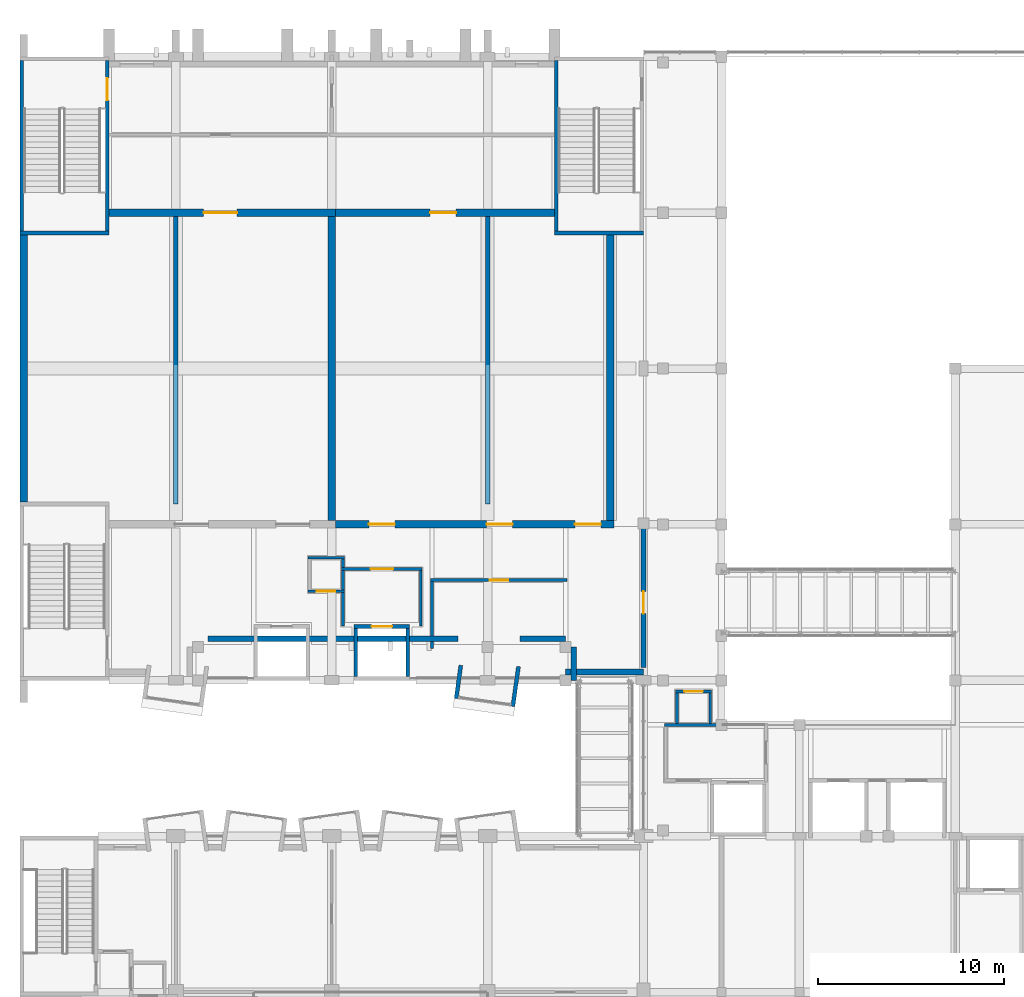
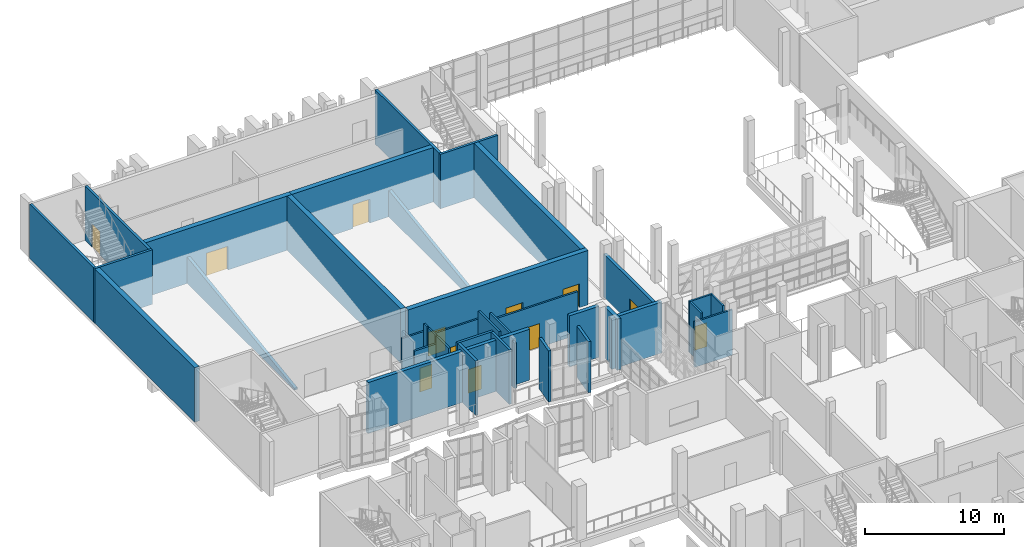
# One storey, part 45 of 86: 37 walls, 12 doors, 12 openings.
"""IFC4 building model written with IfcOpenShell, lengths in metres."""

from ifc_helpers import new_model, si_unit, direction, frame, frame_2d, origin, place, context, subcontext, project, spatial, polyline, rectangle, outline, extrude, material, layer, layer_set, type_object, element, fill, save


model = new_model("IFC4")

# Units and contexts
model_context = context("Model", 3, precision=1e-05, world=origin(), true_north=direction((0.0, 1.0)))
body_context = subcontext(model_context, "Body", "Model", "MODEL_VIEW")
ifc_project = project(units=[si_unit("LENGTHUNIT", "METRE"), si_unit("AREAUNIT", "SQUARE_METRE"), si_unit("VOLUMEUNIT", "CUBIC_METRE"), si_unit("PLANEANGLEUNIT", "RADIAN"), si_unit("MASSUNIT", "GRAM", prefix="KILO")], contexts=[model_context])

# Site, building, storey
site_placement = place(None, origin())
site = spatial("IfcSite", under=ifc_project, at=site_placement, CompositionType="ELEMENT")
building_placement = place(site_placement, origin())
building = spatial("IfcBuilding", under=site, at=building_placement, Name="Kiln Court Media Centre", CompositionType="ELEMENT")
storey_placement = place(building_placement, frame((0.0, 0.0, 10.199951171875)))
storey = spatial("IfcBuildingStorey", under=building, at=storey_placement, Name="L02", CompositionType="ELEMENT", Elevation=10.199951171875)

# Wall, opening, door
ifc_material_1 = material(Name="Concrete block masonry M10", Category="masonry")
ifc_layer_1 = layer(ifc_material_1, 0.25)
ifc_layer_set_1 = layer_set([ifc_layer_1], Name="Block fire wall 250 EI 240")
wall_type_1 = type_object("IfcWallType", Name="Block fire wall 250 EI 240", PredefinedType="SOLIDWALL", material=ifc_layer_set_1)
wall_1_placement = place(storey_placement, frame((33.60009765625, 34.300048828125, 0.0), z_axis=(0.0, 0.0, 1.0), x_axis=(0.0, 1.0, 0.0)))
wall_1 = element("IfcWall", 1, at=wall_1_placement, inside=storey, type_object=wall_type_1, Name="L02 block fire wall", PredefinedType="SOLIDWALL", context=body_context, shape_type="SweptSolid", body=[
    extrude(rectangle(XDim=7.824951171875, YDim=0.25, at=frame_2d((3.91259765625, 0.0))), origin(), (0.0, 0.0, 1.0), 3.800048828125),
])
opening_1_placement = place(wall_1_placement, frame((2.89990234375, 0.0, 0.0)))
opening_1 = element("IfcOpeningElement", 2, at=opening_1_placement, cuts=wall_1, Name="Opening D2022", PredefinedType="OPENING", context=body_context, shape_type="SweptSolid", body=[
    extrude(rectangle(XDim=1.199951171875, YDim=2.10009765625, at=frame_2d((0.60009765625, 1.050048828125))), frame((0.0, 0.135009765625, 0.0), z_axis=(0.0, -1.0, 0.0), x_axis=(1.0, 0.0, 0.0)), (0.0, 0.0, 1.0), 0.27001953125),
])
ifc_material_2 = material(Name="Steel S275", Category="steel")
door_type_1 = type_object("IfcDoorType", Name="Steel fire-wall door 1200 x 2100 FD180", OperationType="SINGLE_SWING_LEFT", PredefinedType="DOOR", material=ifc_material_2)
door_1_placement = place(opening_1_placement, origin())
door_1 = element("IfcDoor", 3, at=door_1_placement, inside=storey, type_object=door_type_1, Name="West Gallery / Foyer Link", OperationType="SINGLE_SWING_LEFT", OverallHeight=2.10009765625, OverallWidth=1.199951171875, PredefinedType="DOOR", context=body_context, shape_type="SweptSolid", body=[
    extrude(rectangle(XDim=1.199951171875, YDim=2.10009765625, at=frame_2d((0.60009765625, 1.050048828125))), frame((0.0, 0.02490234375, 0.0), z_axis=(0.0, -1.0, 0.0), x_axis=(1.0, 0.0, 0.0)), (0.0, 0.0, 1.0), 0.050048828125),
])
fill(opening_1, door_1)

# Wall
ifc_material_3 = material(Name="Concrete block masonry M7.5", Category="masonry")
ifc_layer_2 = layer(ifc_material_3, 0.14990234375)
ifc_layer_set_2 = layer_set([ifc_layer_2], Name="Block lobby wall 150 EI 120")
wall_type_2 = type_object("IfcWallType", Name="Block lobby wall 150 EI 120", PredefinedType="SOLIDWALL", material=ifc_layer_set_2)
wall_2_placement = place(storey_placement, frame((34.72509765625, 31.199951171875, 0.0), z_axis=(0.0, 0.0, 1.0), x_axis=(1.0, 0.0, 0.0)))
element("IfcWall", 4, at=wall_2_placement, inside=storey, type_object=wall_type_2, Name="L02 block lobby wall", PredefinedType="SOLIDWALL", context=body_context, shape_type="SweptSolid", body=[
    extrude(rectangle(XDim=3.14990234375, YDim=0.14990234375, at=frame_2d((1.574951171875, 0.0))), origin(), (0.0, 0.0, 1.0), 4.0),
])

# Wall, opening, door
wall_3_placement = place(storey_placement, frame((17.324951171875, 39.60009765625, 0.0), z_axis=(0.0, 0.0, 1.0), x_axis=(1.0, 0.0, 0.0)))
wall_3 = element("IfcWall", 5, at=wall_3_placement, inside=storey, type_object=wall_type_2, Name="L02 block lobby wall", PredefinedType="SOLIDWALL", context=body_context, shape_type="SweptSolid", body=[
    extrude(rectangle(XDim=4.35009765625, YDim=0.14990234375, at=frame_2d((2.175048828125, 0.0))), origin(), (0.0, 0.0, 1.0), 3.800048828125),
])
opening_2_placement = place(wall_3_placement, frame((1.574951171875, 0.0, 0.0)))
opening_2 = element("IfcOpeningElement", 6, at=opening_2_placement, cuts=wall_3, Name="Opening D2058", PredefinedType="OPENING", context=body_context, shape_type="SweptSolid", body=[
    extrude(rectangle(XDim=1.199951171875, YDim=2.10009765625, at=frame_2d((0.60009765625, 1.050048828125))), frame((0.0, 0.0849609375, 0.0), z_axis=(0.0, -1.0, 0.0), x_axis=(1.0, 0.0, 0.0)), (0.0, 0.0, 1.0), 0.169921875),
])
ifc_material_4 = material(Name="Steel S275", Category="steel")
door_type_2 = type_object("IfcDoorType", Name="Steel lobby door 1200 x 2100 FD120", OperationType="SINGLE_SWING_LEFT", PredefinedType="DOOR", material=ifc_material_4)
door_2_placement = place(opening_2_placement, origin())
door_2 = element("IfcDoor", 7, at=door_2_placement, inside=storey, type_object=door_type_2, Name="Cinema Lobby / Fire-fighting Lift Lobby", OperationType="SINGLE_SWING_RIGHT", OverallHeight=2.10009765625, OverallWidth=1.199951171875, PredefinedType="DOOR", context=body_context, shape_type="SweptSolid", body=[
    extrude(rectangle(XDim=1.199951171875, YDim=2.10009765625, at=frame_2d((0.60009765625, 1.050048828125))), frame((0.0, 0.02490234375, 0.0), z_axis=(0.0, -1.0, 0.0), x_axis=(1.0, 0.0, 0.0)), (0.0, 0.0, 1.0), 0.050048828125),
])
fill(opening_2, door_2)

# Walls
wall_4_placement = place(storey_placement, frame((17.39990234375, 36.52490234375, 0.0), z_axis=(0.0, 0.0, 1.0), x_axis=(0.0, 1.0, 0.0)))
element("IfcWall", 8, at=wall_4_placement, inside=storey, type_object=wall_type_2, Name="L02 block lobby wall", PredefinedType="SOLIDWALL", context=body_context, shape_type="SweptSolid", body=[
    extrude(rectangle(XDim=1.800048828125, YDim=0.14990234375, at=frame_2d((0.89990234375, 0.0))), origin(), (0.0, 0.0, 1.0), 4.5),
])
wall_5_placement = place(storey_placement, frame((17.39990234375, 38.47509765625, 0.0), z_axis=(0.0, 0.0, 1.0), x_axis=(0.0, 1.0, 0.0)))
element("IfcWall", 9, at=wall_5_placement, inside=storey, type_object=wall_type_2, Name="L02 block lobby wall", PredefinedType="SOLIDWALL", context=body_context, shape_type="SweptSolid", body=[
    extrude(rectangle(XDim=1.0498046875, YDim=0.14990234375, at=frame_2d((0.52490234375, 0.0))), origin(), (0.0, 0.0, 1.0), 4.5),
])
wall_6_placement = place(storey_placement, frame((21.60009765625, 36.52490234375, 0.0), z_axis=(0.0, 0.0, 1.0), x_axis=(0.0, 1.0, 0.0)))
element("IfcWall", 10, at=wall_6_placement, inside=storey, type_object=wall_type_2, Name="L02 block lobby wall", PredefinedType="SOLIDWALL", context=body_context, shape_type="SweptSolid", body=[
    extrude(rectangle(XDim=3.0, YDim=0.14990234375, at=frame_2d((1.5, 0.0))), origin(), (0.0, 0.0, 1.0), 4.5),
])
ifc_material_5 = material(Name="Brick masonry facing leaf with RC backing", Category="masonry")
ifc_layer_3 = layer(ifc_material_5, 0.215087890625)
ifc_layer_set_3 = layer_set([ifc_layer_3], Name="Brick masonry bay cheek wall 215")
wall_type_3 = type_object("IfcWallType", Name="Brick masonry bay cheek wall 215", PredefinedType="SOLIDWALL", material=ifc_layer_set_3)
wall_7_placement = place(storey_placement, frame((23.756103515625, 34.40869140625, 0.0), z_axis=(0.0, 0.0, 1.0), x_axis=(-0.13918000587, -0.990267098295, 0.0)))
element("IfcWall", 11, at=wall_7_placement, inside=storey, type_object=wall_type_3, Name="BAY V4-S-L02-14 cheek L", PredefinedType="SOLIDWALL", context=body_context, shape_type="SweptSolid", body=[
    extrude(rectangle(XDim=1.7998046875, YDim=0.215087890625, at=frame_2d((0.89990234375, 0.0))), origin(), (0.0, 0.0, 1.0), 4.5),
])
wall_8_placement = place(storey_placement, frame((26.8623046875, 34.344970703125, 0.0), z_axis=(0.0, 0.0, 1.0), x_axis=(-0.139120311566, -0.990275486372, 0.0)))
element("IfcWall", 12, at=wall_8_placement, inside=storey, type_object=wall_type_3, Name="BAY V4-S-L02-14 cheek R", PredefinedType="SOLIDWALL", context=body_context, shape_type="SweptSolid", body=[
    extrude(rectangle(XDim=2.1689453125, YDim=0.215087890625, at=frame_2d((1.08447265625, 0.0))), origin(), (0.0, 0.0, 1.0), 4.5),
])

# Wall, opening, door
ifc_material_6 = material(Name="Concrete C40/50", Category="concrete")
ifc_layer_4 = layer(ifc_material_6, 0.39990234375)
ifc_layer_set_4 = layer_set([ifc_layer_4], Name="Concrete C40/50 auditorium wall 400")
wall_type_4 = type_object("IfcWallType", Name="Concrete C40/50 auditorium wall 400", PredefinedType="SHEAR", material=ifc_layer_set_4)
wall_9_placement = place(storey_placement, frame((4.800048828125, 58.800048828125, 0.0), z_axis=(0.0, 0.0, 1.0), x_axis=(1.0, 0.0, 0.0)))
wall_9 = element("IfcWall", 13, at=wall_9_placement, inside=storey, type_object=wall_type_4, Name="L02-W-1119", PredefinedType="SHEAR", context=body_context, shape_type="SweptSolid", body=[
    extrude(rectangle(XDim=12.199951171875, YDim=0.39990234375, at=frame_2d((6.10009765625, 0.0))), origin(), (0.0, 0.0, 1.0), 4.800048828125),
])
opening_3_placement = place(wall_9_placement, frame((5.10009765625, 0.0, 0.0)))
opening_3 = element("IfcOpeningElement", 14, at=opening_3_placement, cuts=wall_9, Name="Opening D2078", PredefinedType="OPENING", context=body_context, shape_type="SweptSolid", body=[
    extrude(rectangle(XDim=1.800048828125, YDim=2.10009765625, at=frame_2d((0.89990234375, 1.050048828125))), frame((0.0, 0.2099609375, 0.0), z_axis=(0.0, -1.0, 0.0), x_axis=(1.0, 0.0, 0.0)), (0.0, 0.0, 1.0), 0.419921875),
])
ifc_material_7 = material(Name="Steel S275", Category="steel")
door_type_3 = type_object("IfcDoorType", Name="Acoustic cinema double door 1800 x 2100 FD180", OperationType="DOUBLE_DOOR_SINGLE_SWING", PredefinedType="DOOR", material=ifc_material_7)
door_3_placement = place(opening_3_placement, origin())
door_3 = element("IfcDoor", 15, at=door_3_placement, inside=storey, type_object=door_type_3, Name="Cinema Screen 5 / Rear Exit Lobby", OperationType="DOUBLE_DOOR_SINGLE_SWING", OverallHeight=2.10009765625, OverallWidth=1.800048828125, PredefinedType="DOOR", context=body_context, shape_type="SweptSolid", body=[
    extrude(rectangle(XDim=1.800048828125, YDim=2.10009765625, at=frame_2d((0.89990234375, 1.050048828125))), frame((0.0, 0.02490234375, 0.0), z_axis=(0.0, -1.0, 0.0), x_axis=(1.0, 0.0, 0.0)), (0.0, 0.0, 1.0), 0.050048828125),
])
fill(opening_3, door_3)

# Walls
wall_10_placement = place(storey_placement, frame((0.200439453125, 43.199951171875, 0.0), z_axis=(0.0, 0.0, 1.0), x_axis=(0.0, 1.0, 0.0)))
element("IfcWall", 16, at=wall_10_placement, inside=storey, type_object=wall_type_4, Name="L02-W-1120", PredefinedType="SHEAR", context=body_context, shape_type="SweptSolid", body=[
    extrude(rectangle(XDim=14.400146484375, YDim=0.39990234375, at=frame_2d((7.2001953125, 0.0))), origin(), (0.0, 0.0, 1.0), 4.800048828125),
])
wall_11_placement = place(storey_placement, frame((16.800048828125, 58.60009765625, 0.0), z_axis=(0.0, 0.0, 1.0), x_axis=(0.0, -1.0, 0.0)))
element("IfcWall", 17, at=wall_11_placement, inside=storey, type_object=wall_type_4, Name="L02-W-1121", PredefinedType="SHEAR", context=body_context, shape_type="SweptSolid", body=[
    extrude(rectangle(XDim=16.400146484375, YDim=0.39990234375, at=frame_2d((8.2001953125, 0.0))), origin(), (0.0, 0.0, 1.0), 4.800048828125),
])

# Wall, openings, doors
wall_12_placement = place(storey_placement, frame((32.0, 42.0, 0.0), z_axis=(0.0, 0.0, 1.0), x_axis=(-1.0, 0.0, 0.0)))
wall_12 = element("IfcWall", 18, at=wall_12_placement, inside=storey, type_object=wall_type_4, Name="L02-W-1122", PredefinedType="SHEAR", context=body_context, shape_type="SweptSolid", body=[
    extrude(rectangle(XDim=15.0, YDim=0.39990234375, at=frame_2d((7.5, 0.0))), origin(), (0.0, 0.0, 1.0), 4.800048828125),
])
opening_4_placement = place(wall_12_placement, frame((0.699951171875, 0.0, 0.0)))
opening_4 = element("IfcOpeningElement", 19, at=opening_4_placement, cuts=wall_12, Name="Opening D2057", PredefinedType="OPENING", context=body_context, shape_type="SweptSolid", body=[
    extrude(rectangle(XDim=1.39990234375, YDim=2.10009765625, at=frame_2d((0.699951171875, 1.050048828125))), frame((0.0, 0.2099609375, 0.0), z_axis=(0.0, -1.0, 0.0), x_axis=(1.0, 0.0, 0.0)), (0.0, 0.0, 1.0), 0.419921875),
])
opening_5_placement = place(wall_12_placement, frame((11.800048828125, 0.0, 0.0)))
opening_5 = element("IfcOpeningElement", 20, at=opening_5_placement, cuts=wall_12, Name="Opening D2079", PredefinedType="OPENING", context=body_context, shape_type="SweptSolid", body=[
    extrude(rectangle(XDim=1.39990234375, YDim=2.10009765625, at=frame_2d((0.699951171875, 1.050048828125))), frame((0.0, 0.2099609375, 0.0), z_axis=(0.0, -1.0, 0.0), x_axis=(1.0, 0.0, 0.0)), (0.0, 0.0, 1.0), 0.419921875),
])
opening_6_placement = place(wall_12_placement, frame((5.449951171875, 0.0, 0.0)))
opening_6 = element("IfcOpeningElement", 21, at=opening_6_placement, cuts=wall_12, Name="Opening D2080", PredefinedType="OPENING", context=body_context, shape_type="SweptSolid", body=[
    extrude(rectangle(XDim=1.39990234375, YDim=2.10009765625, at=frame_2d((0.699951171875, 1.050048828125))), frame((0.0, 0.2099609375, 0.0), z_axis=(0.0, -1.0, 0.0), x_axis=(1.0, 0.0, 0.0)), (0.0, 0.0, 1.0), 0.419921875),
])
ifc_material_8 = material(Name="Steel S275", Category="steel")
door_type_4 = type_object("IfcDoorType", Name="Acoustic cinema door 1400 x 2100 FD180", OperationType="DOUBLE_DOOR_SINGLE_SWING", PredefinedType="DOOR", material=ifc_material_8)
door_4_placement = place(opening_4_placement, origin())
door_4 = element("IfcDoor", 22, at=door_4_placement, inside=storey, type_object=door_type_4, Name="Foyer Link / Cinema Screen 6", OperationType="DOUBLE_DOOR_SINGLE_SWING", OverallHeight=2.10009765625, OverallWidth=1.39990234375, PredefinedType="DOOR", context=body_context, shape_type="SweptSolid", body=[
    extrude(rectangle(XDim=1.39990234375, YDim=2.10009765625, at=frame_2d((0.699951171875, 1.050048828125))), frame((0.0, 0.02490234375, 0.0), z_axis=(0.0, -1.0, 0.0), x_axis=(1.0, 0.0, 0.0)), (0.0, 0.0, 1.0), 0.050048828125),
])
fill(opening_4, door_4)
door_5_placement = place(opening_5_placement, origin())
door_5 = element("IfcDoor", 23, at=door_5_placement, inside=storey, type_object=door_type_4, Name="Cinema Lobby / Cinema Screen 6", OperationType="DOUBLE_DOOR_SINGLE_SWING", OverallHeight=2.10009765625, OverallWidth=1.39990234375, PredefinedType="DOOR", context=body_context, shape_type="SweptSolid", body=[
    extrude(rectangle(XDim=1.39990234375, YDim=2.10009765625, at=frame_2d((0.699951171875, 1.050048828125))), frame((0.0, 0.02490234375, 0.0), z_axis=(0.0, -1.0, 0.0), x_axis=(1.0, 0.0, 0.0)), (0.0, 0.0, 1.0), 0.050048828125),
])
fill(opening_5, door_5)
door_6_placement = place(opening_6_placement, origin())
door_6 = element("IfcDoor", 24, at=door_6_placement, inside=storey, type_object=door_type_4, Name="Cinema Lobby / Cinema Screen 6", OperationType="DOUBLE_DOOR_SINGLE_SWING", OverallHeight=2.10009765625, OverallWidth=1.39990234375, PredefinedType="DOOR", context=body_context, shape_type="SweptSolid", body=[
    extrude(rectangle(XDim=1.39990234375, YDim=2.10009765625, at=frame_2d((0.699951171875, 1.050048828125))), frame((0.0, 0.02490234375, 0.0), z_axis=(0.0, -1.0, 0.0), x_axis=(1.0, 0.0, 0.0)), (0.0, 0.0, 1.0), 0.050048828125),
])
fill(opening_6, door_6)

# Wall, opening, door
wall_13_placement = place(storey_placement, frame((17.0, 58.800048828125, 0.0), z_axis=(0.0, 0.0, 1.0), x_axis=(1.0, 0.0, 0.0)))
wall_13 = element("IfcWall", 25, at=wall_13_placement, inside=storey, type_object=wall_type_4, Name="L02-W-1123", PredefinedType="SHEAR", context=body_context, shape_type="SweptSolid", body=[
    extrude(rectangle(XDim=11.800048828125, YDim=0.39990234375, at=frame_2d((5.89990234375, 0.0))), origin(), (0.0, 0.0, 1.0), 4.800048828125),
])
opening_7_placement = place(wall_13_placement, frame((5.10009765625, 0.0, 0.0)))
opening_7 = element("IfcOpeningElement", 26, at=opening_7_placement, cuts=wall_13, Name="Opening D2081", PredefinedType="OPENING", context=body_context, shape_type="SweptSolid", body=[
    extrude(rectangle(XDim=1.39990234375, YDim=2.10009765625, at=frame_2d((0.699951171875, 1.050048828125))), frame((0.0, 0.2099609375, 0.0), z_axis=(0.0, -1.0, 0.0), x_axis=(1.0, 0.0, 0.0)), (0.0, 0.0, 1.0), 0.419921875),
])
door_7_placement = place(opening_7_placement, origin())
door_7 = element("IfcDoor", 27, at=door_7_placement, inside=storey, type_object=door_type_4, Name="Cinema Screen 6 / Rear Exit Lobby", OperationType="DOUBLE_DOOR_SINGLE_SWING", OverallHeight=2.10009765625, OverallWidth=1.39990234375, PredefinedType="DOOR", context=body_context, shape_type="SweptSolid", body=[
    extrude(rectangle(XDim=1.39990234375, YDim=2.10009765625, at=frame_2d((0.699951171875, 1.050048828125))), frame((0.0, 0.02490234375, 0.0), z_axis=(0.0, -1.0, 0.0), x_axis=(1.0, 0.0, 0.0)), (0.0, 0.0, 1.0), 0.050048828125),
])
fill(opening_7, door_7)

# Walls
wall_14_placement = place(storey_placement, frame((31.800048828125, 57.60009765625, 0.0), z_axis=(0.0, 0.0, 1.0), x_axis=(0.0, -1.0, 0.0)))
element("IfcWall", 28, at=wall_14_placement, inside=storey, type_object=wall_type_4, Name="L02-W-1124", PredefinedType="SHEAR", context=body_context, shape_type="SweptSolid", body=[
    extrude(rectangle(XDim=15.400146484375, YDim=0.39990234375, at=frame_2d((7.7001953125, 0.0))), origin(), (0.0, 0.0, 1.0), 4.800048828125),
])
ifc_material_9 = material(Name="Concrete C40/50", Category="concrete")
ifc_layer_5 = layer(ifc_material_9, 0.300048828125)
ifc_layer_set_5 = layer_set([ifc_layer_5], Name="Concrete C40/50 board-marked facade wall 300")
wall_type_5 = type_object("IfcWallType", Name="Concrete C40/50 board-marked facade wall 300", PredefinedType="SOLIDWALL", material=ifc_layer_set_5)
wall_15_placement = place(storey_placement, frame((23.611083984375, 35.85009765625, 0.0), z_axis=(0.0, 0.0, 1.0), x_axis=(-1.0, 0.0, 0.0)))
element("IfcWall", 29, at=wall_15_placement, inside=storey, type_object=wall_type_5, Name="V4 S facade wall 4006", PredefinedType="SOLIDWALL", context=body_context, shape_type="SweptSolid", body=[
    extrude(rectangle(XDim=13.467529296875, YDim=0.300048828125, at=frame_2d((6.73388671875, 0.0))), origin(), (0.0, 0.0, 1.0), 4.5),
])
wall_16_placement = place(storey_placement, frame((29.39990234375, 35.85009765625, 0.0), z_axis=(0.0, 0.0, 1.0), x_axis=(-1.0, 0.0, 0.0)))
element("IfcWall", 30, at=wall_16_placement, inside=storey, type_object=wall_type_5, Name="V4 S facade wall 4007", PredefinedType="SOLIDWALL", context=body_context, shape_type="SweptSolid", body=[
    extrude(rectangle(XDim=2.456298828125, YDim=0.300048828125, at=frame_2d((1.22802734375, 0.0))), origin(), (0.0, 0.0, 1.0), 4.5),
])
wall_17_placement = place(storey_placement, frame((29.85009765625, 33.60009765625, 0.0), z_axis=(0.0, 0.0, 1.0), x_axis=(0.0, 1.0, 0.0)))
element("IfcWall", 31, at=wall_17_placement, inside=storey, type_object=wall_type_5, Name="V4 W facade wall 4008", PredefinedType="SOLIDWALL", context=body_context, shape_type="SweptSolid", body=[
    extrude(rectangle(XDim=1.7998046875, YDim=0.300048828125, at=frame_2d((0.89990234375, 0.0))), origin(), (0.0, 0.0, 1.0), 4.5),
])
wall_18_placement = place(storey_placement, frame((33.60009765625, 34.050048828125, 0.0), z_axis=(0.0, 0.0, 1.0), x_axis=(-1.0, 0.0, 0.0)))
element("IfcWall", 32, at=wall_18_placement, inside=storey, type_object=wall_type_5, Name="V4 S facade wall 4009", PredefinedType="SOLIDWALL", context=body_context, shape_type="SweptSolid", body=[
    extrude(rectangle(XDim=4.2001953125, YDim=0.300048828125, at=frame_2d((2.10009765625, 0.0))), origin(), (0.0, 0.0, 1.0), 4.5),
])
ifc_material_10 = material(Name="Concrete C40/50", Category="concrete")
ifc_layer_6 = layer(ifc_material_10, 0.25)
ifc_layer_set_6 = layer_set([ifc_layer_6], Name="Concrete C40/50 raker wall 250")
wall_type_6 = type_object("IfcWallType", Name="Concrete C40/50 raker wall 250", PredefinedType="SOLIDWALL", material=ifc_layer_set_6)
for number, where, z_axis, x_axis, name in (
    (33, (8.39990234375, 43.10009765625, 0.0), (0.0, 0.0, 1.0), (0.0, 1.0, 0.0), "L02-W-1142"),
    (34, (25.199951171875, 43.10009765625, 0.0), (0.0, 0.0, 1.0), (0.0, 1.0, 0.0), "L02-W-1143"),
):
    element("IfcWall", number, at=place(storey_placement, frame(where, z_axis=z_axis, x_axis=x_axis)), inside=storey, type_object=wall_type_6, Name=name, PredefinedType="SOLIDWALL", context=body_context, shape_type="SweptSolid", body=[
        extrude(outline(polyline([(0.0, 0.0), (15.5, 0.0), (15.5, 2.323974609375), (0.0, 0.154052734375), (0.0, 0.0)])), frame((0.0, 0.125, 0.0), z_axis=(0.0, -1.0, 0.0), x_axis=(1.0, 0.0, 0.0)), (0.0, 0.0, 1.0), 0.25),
    ])
ifc_material_11 = material(Name="Concrete C40/50", Category="concrete")
ifc_layer_7 = layer(ifc_material_11, 0.199951171875)
ifc_layer_set_7 = layer_set([ifc_layer_7], Name="Concrete C40/50 shear wall 200")
wall_type_7 = type_object("IfcWallType", Name="Concrete C40/50 shear wall 200", PredefinedType="SHEAR", material=ifc_layer_set_7)
wall_19_placement = place(storey_placement, frame((4.800048828125, 57.699951171875, 0.0), z_axis=(0.0, 0.0, 1.0), x_axis=(-1.0, 0.0, 0.0)))
element("IfcWall", 35, at=wall_19_placement, inside=storey, type_object=wall_type_7, Name="L02-W-1024", PredefinedType="SHEAR", context=body_context, shape_type="SweptSolid", body=[
    extrude(rectangle(XDim=4.799560546875, YDim=0.199951171875, at=frame_2d((2.39990234375, 0.0))), origin(), (0.0, 0.0, 1.0), 4.800048828125),
])
wall_20_placement = place(storey_placement, frame((0.100341796875, 57.800048828125, 0.0), z_axis=(0.0, 0.0, 1.0), x_axis=(0.0, 1.0, 0.0)))
element("IfcWall", 36, at=wall_20_placement, inside=storey, type_object=wall_type_7, Name="L02-W-1026", PredefinedType="SHEAR", context=body_context, shape_type="SweptSolid", body=[
    extrude(rectangle(XDim=9.199951171875, YDim=0.199951171875, at=frame_2d((4.60009765625, 0.0))), origin(), (0.0, 0.0, 1.0), 4.800048828125),
])

# Wall, opening, door
wall_21_placement = place(storey_placement, frame((4.699951171875, 67.0, 0.0), z_axis=(0.0, 0.0, 1.0), x_axis=(0.0, -1.0, 0.0)))
wall_21 = element("IfcWall", 37, at=wall_21_placement, inside=storey, type_object=wall_type_7, Name="L02-W-1027", PredefinedType="SHEAR", context=body_context, shape_type="SweptSolid", body=[
    extrude(rectangle(XDim=9.199951171875, YDim=0.199951171875, at=frame_2d((4.60009765625, 0.0))), origin(), (0.0, 0.0, 1.0), 4.800048828125),
])
opening_8_placement = place(wall_21_placement, frame((0.949951171875, 0.0, 0.0)))
opening_8 = element("IfcOpeningElement", 38, at=opening_8_placement, cuts=wall_21, Name="Opening D2009", PredefinedType="OPENING", context=body_context, shape_type="SweptSolid", body=[
    extrude(rectangle(XDim=1.199951171875, YDim=2.10009765625, at=frame_2d((0.60009765625, 1.050048828125))), frame((0.0, 0.10986328125, 0.0), z_axis=(0.0, -1.0, 0.0), x_axis=(1.0, 0.0, 0.0)), (0.0, 0.0, 1.0), 0.219970703125),
])
ifc_material_12 = material(Name="Steel S275", Category="steel")
door_type_5 = type_object("IfcDoorType", Name="Steel stair door 1200 x 2100 FD180", OperationType="SINGLE_SWING_LEFT", PredefinedType="DOOR", material=ifc_material_12)
door_8_placement = place(opening_8_placement, origin())
door_8 = element("IfcDoor", 39, at=door_8_placement, inside=storey, type_object=door_type_5, Name="Stair 7 / Cinema Staff Room", OperationType="SINGLE_SWING_RIGHT", OverallHeight=2.10009765625, OverallWidth=1.199951171875, PredefinedType="DOOR", context=body_context, shape_type="SweptSolid", body=[
    extrude(rectangle(XDim=1.199951171875, YDim=2.10009765625, at=frame_2d((0.60009765625, 1.050048828125))), frame((0.0, 0.02490234375, 0.0), z_axis=(0.0, -1.0, 0.0), x_axis=(1.0, 0.0, 0.0)), (0.0, 0.0, 1.0), 0.050048828125),
])
fill(opening_8, door_8)

# Walls
wall_22_placement = place(storey_placement, frame((33.60009765625, 57.699951171875, 0.0), z_axis=(0.0, 0.0, 1.0), x_axis=(-1.0, 0.0, 0.0)))
element("IfcWall", 40, at=wall_22_placement, inside=storey, type_object=wall_type_7, Name="L02-W-1028", PredefinedType="SHEAR", context=body_context, shape_type="SweptSolid", body=[
    extrude(rectangle(XDim=4.800048828125, YDim=0.199951171875, at=frame_2d((2.39990234375, 0.0))), origin(), (0.0, 0.0, 1.0), 4.800048828125),
])
wall_23_placement = place(storey_placement, frame((28.89990234375, 57.800048828125, 0.0), z_axis=(0.0, 0.0, 1.0), x_axis=(0.0, 1.0, 0.0)))
element("IfcWall", 41, at=wall_23_placement, inside=storey, type_object=wall_type_7, Name="L02-W-1030", PredefinedType="SHEAR", context=body_context, shape_type="SweptSolid", body=[
    extrude(rectangle(XDim=9.199951171875, YDim=0.199951171875, at=frame_2d((4.60009765625, 0.0))), origin(), (0.0, 0.0, 1.0), 4.800048828125),
])

# Wall, opening, door
wall_24_placement = place(storey_placement, frame((18.0, 36.5, 0.0), z_axis=(0.0, 0.0, 1.0), x_axis=(1.0, 0.0, 0.0)))
wall_24 = element("IfcWall", 42, at=wall_24_placement, inside=storey, type_object=wall_type_7, Name="L02-W-1087", PredefinedType="SHEAR", context=body_context, shape_type="SweptSolid", body=[
    extrude(rectangle(XDim=3.0, YDim=0.199951171875, at=frame_2d((1.5, 0.0))), origin(), (0.0, 0.0, 1.0), 4.800048828125),
])
opening_9_placement = place(wall_24_placement, frame((0.949951171875, 0.0, 0.0)))
opening_9 = element("IfcOpeningElement", 43, at=opening_9_placement, cuts=wall_24, Name="Opening LD206", PredefinedType="OPENING", context=body_context, shape_type="SweptSolid", body=[
    extrude(rectangle(XDim=1.10009765625, YDim=2.10009765625, at=frame_2d((0.550048828125, 1.050048828125))), frame((0.0, 0.10986328125, 0.0), z_axis=(0.0, -1.0, 0.0), x_axis=(1.0, 0.0, 0.0)), (0.0, 0.0, 1.0), 0.219970703125),
])
ifc_material_13 = material(Name="Stainless steel", Category="steel")
door_type_6 = type_object("IfcDoorType", Name="Firefighting lift landing door 1100 x 2100 FD120", OperationType="SLIDING_TO_LEFT", PredefinedType="DOOR", material=ifc_material_13)
door_9_placement = place(opening_9_placement, origin())
door_9 = element("IfcDoor", 44, at=door_9_placement, inside=storey, type_object=door_type_6, Name="LF-06 landing door L02", OperationType="SLIDING_TO_LEFT", OverallHeight=2.10009765625, OverallWidth=1.10009765625, PredefinedType="DOOR", context=body_context, shape_type="SweptSolid", body=[
    extrude(rectangle(XDim=1.10009765625, YDim=2.10009765625, at=frame_2d((0.550048828125, 1.050048828125))), frame((0.0, 0.02490234375, 0.0), z_axis=(0.0, -1.0, 0.0), x_axis=(1.0, 0.0, 0.0)), (0.0, 0.0, 1.0), 0.050048828125),
])
fill(opening_9, door_9)

# Walls
for number, where, z_axis, x_axis, name in (
    (45, (18.10009765625, 33.800048828125, 0.0), (0.0, 0.0, 1.0), (0.0, 1.0, 0.0), "L02-W-1088"),
    (46, (20.89990234375, 36.39990234375, 0.0), (0.0, 0.0, 1.0), (0.0, -1.0, 0.0), "L02-W-1089"),
):
    element("IfcWall", number, at=place(storey_placement, frame(where, z_axis=z_axis, x_axis=x_axis)), inside=storey, type_object=wall_type_7, Name=name, PredefinedType="SHEAR", context=body_context, shape_type="SweptSolid", body=[
        extrude(rectangle(XDim=2.599853515625, YDim=0.199951171875, at=frame_2d((1.2998046875, 0.0))), origin(), (0.0, 0.0, 1.0), 4.800048828125),
    ])

# Wall, opening, door
ifc_material_14 = material(Name="Gypsum plasterboard", Category="gypsum")
ifc_layer_8 = layer(ifc_material_14, 0.14990234375)
ifc_layer_set_8 = layer_set([ifc_layer_8], Name="Gypsum corridor partition 150 EI 60")
wall_type_8 = type_object("IfcWallType", Name="Gypsum corridor partition 150 EI 60", PredefinedType="PARTITIONING", material=ifc_layer_set_8)
wall_25_placement = place(storey_placement, frame((35.324951171875, 33.0, 0.0), z_axis=(0.0, 0.0, 1.0), x_axis=(1.0, 0.0, 0.0)))
wall_25 = element("IfcWall", 47, at=wall_25_placement, inside=storey, type_object=wall_type_8, Name="L02 gypsum corridor partition", PredefinedType="PARTITIONING", context=body_context, shape_type="SweptSolid", body=[
    extrude(rectangle(XDim=1.949951171875, YDim=0.14990234375, at=frame_2d((0.97509765625, 0.0))), origin(), (0.0, 0.0, 1.0), 4.5),
])
opening_10_placement = place(wall_25_placement, frame((0.47509765625, 0.0, 0.0)))
opening_10 = element("IfcOpeningElement", 48, at=opening_10_placement, cuts=wall_25, Name="Opening D2021", PredefinedType="OPENING", context=body_context, shape_type="SweptSolid", body=[
    extrude(rectangle(XDim=1.0, YDim=2.10009765625, at=frame_2d((0.5, 1.050048828125))), frame((0.0, 0.0849609375, 0.0), z_axis=(0.0, -1.0, 0.0), x_axis=(1.0, 0.0, 0.0)), (0.0, 0.0, 1.0), 0.169921875),
])
ifc_material_15 = material(Name="Steel S275", Category="steel")
door_type_7 = type_object("IfcDoorType", Name="Steel corridor door 1000 x 2100 FD30S", OperationType="SINGLE_SWING_LEFT", PredefinedType="DOOR", material=ifc_material_15)
door_10_placement = place(opening_10_placement, origin())
door_10 = element("IfcDoor", 49, at=door_10_placement, inside=storey, type_object=door_type_7, Name="West Gallery / Wheelchair Refuge", OperationType="SINGLE_SWING_LEFT", OverallHeight=2.10009765625, OverallWidth=1.0, PredefinedType="DOOR", context=body_context, shape_type="SweptSolid", body=[
    extrude(rectangle(XDim=1.0, YDim=2.10009765625, at=frame_2d((0.5, 1.050048828125))), frame((0.0, 0.02490234375, 0.0), z_axis=(0.0, -1.0, 0.0), x_axis=(1.0, 0.0, 0.0)), (0.0, 0.0, 1.0), 0.050048828125),
])
fill(opening_10, door_10)

wall_26_placement = place(storey_placement, frame((15.52490234375, 38.39990234375, 0.0), z_axis=(0.0, 0.0, 1.0), x_axis=(1.0, 0.0, 0.0)))
wall_26 = element("IfcWall", 50, at=wall_26_placement, inside=storey, type_object=wall_type_8, Name="L02 gypsum corridor partition", PredefinedType="PARTITIONING", context=body_context, shape_type="SweptSolid", body=[
    extrude(rectangle(XDim=1.9501953125, YDim=0.14990234375, at=frame_2d((0.97509765625, 0.0))), origin(), (0.0, 0.0, 1.0), 3.800048828125),
])
opening_11_placement = place(wall_26_placement, frame((0.47509765625, 0.0, 0.0)))
opening_11 = element("IfcOpeningElement", 51, at=opening_11_placement, cuts=wall_26, Name="Opening D2059", PredefinedType="OPENING", context=body_context, shape_type="SweptSolid", body=[
    extrude(rectangle(XDim=1.0, YDim=2.10009765625, at=frame_2d((0.5, 1.050048828125))), frame((0.0, 0.0849609375, 0.0), z_axis=(0.0, -1.0, 0.0), x_axis=(1.0, 0.0, 0.0)), (0.0, 0.0, 1.0), 0.169921875),
])
door_11_placement = place(opening_11_placement, origin())
door_11 = element("IfcDoor", 52, at=door_11_placement, inside=storey, type_object=door_type_7, Name="Cinema Lobby / Wheelchair Refuge", OperationType="SINGLE_SWING_RIGHT", OverallHeight=2.10009765625, OverallWidth=1.0, PredefinedType="DOOR", context=body_context, shape_type="SweptSolid", body=[
    extrude(rectangle(XDim=1.0, YDim=2.10009765625, at=frame_2d((0.5, 1.050048828125))), frame((0.0, 0.02490234375, 0.0), z_axis=(0.0, -1.0, 0.0), x_axis=(1.0, 0.0, 0.0)), (0.0, 0.0, 1.0), 0.050048828125),
])
fill(opening_11, door_11)

wall_27_placement = place(storey_placement, frame((22.125, 39.0, 0.0), z_axis=(0.0, 0.0, 1.0), x_axis=(1.0, 0.0, 0.0)))
wall_27 = element("IfcWall", 53, at=wall_27_placement, inside=storey, type_object=wall_type_8, Name="L02 gypsum corridor partition", PredefinedType="PARTITIONING", context=body_context, shape_type="SweptSolid", body=[
    extrude(rectangle(XDim=7.35009765625, YDim=0.14990234375, at=frame_2d((3.675048828125, 0.0))), origin(), (0.0, 0.0, 1.0), 3.800048828125),
])
opening_12_placement = place(wall_27_placement, frame((3.175048828125, 0.0, 0.0)))
opening_12 = element("IfcOpeningElement", 54, at=opening_12_placement, cuts=wall_27, Name="Opening D2070", PredefinedType="OPENING", context=body_context, shape_type="SweptSolid", body=[
    extrude(rectangle(XDim=1.0, YDim=2.10009765625, at=frame_2d((0.5, 1.050048828125))), frame((0.0, 0.0849609375, 0.0), z_axis=(0.0, -1.0, 0.0), x_axis=(1.0, 0.0, 0.0)), (0.0, 0.0, 1.0), 0.169921875),
])
door_12_placement = place(opening_12_placement, origin())
door_12 = element("IfcDoor", 55, at=door_12_placement, inside=storey, type_object=door_type_7, Name="Toilets / Cinema Lobby", OperationType="SINGLE_SWING_LEFT", OverallHeight=2.10009765625, OverallWidth=1.0, PredefinedType="DOOR", context=body_context, shape_type="SweptSolid", body=[
    extrude(rectangle(XDim=1.0, YDim=2.10009765625, at=frame_2d((0.5, 1.050048828125))), frame((0.0, 0.02490234375, 0.0), z_axis=(0.0, -1.0, 0.0), x_axis=(1.0, 0.0, 0.0)), (0.0, 0.0, 1.0), 0.050048828125),
])
fill(opening_12, door_12)

# Walls
wall_28_placement = place(storey_placement, frame((15.52490234375, 40.199951171875, 0.0), z_axis=(0.0, 0.0, 1.0), x_axis=(1.0, 0.0, 0.0)))
element("IfcWall", 56, at=wall_28_placement, inside=storey, type_object=wall_type_8, Name="L02 gypsum corridor partition", PredefinedType="PARTITIONING", context=body_context, shape_type="SweptSolid", body=[
    extrude(rectangle(XDim=1.9501953125, YDim=0.14990234375, at=frame_2d((0.97509765625, 0.0))), origin(), (0.0, 0.0, 1.0), 3.800048828125),
])
wall_29_placement = place(storey_placement, frame((17.39990234375, 39.675048828125, 0.0), z_axis=(0.0, 0.0, 1.0), x_axis=(0.0, 1.0, 0.0)))
element("IfcWall", 57, at=wall_29_placement, inside=storey, type_object=wall_type_8, Name="L02 gypsum corridor partition", PredefinedType="PARTITIONING", context=body_context, shape_type="SweptSolid", body=[
    extrude(rectangle(XDim=0.449951171875, YDim=0.14990234375, at=frame_2d((0.22509765625, 0.0))), origin(), (0.0, 0.0, 1.0), 4.5),
])
wall_30_placement = place(storey_placement, frame((22.199951171875, 35.324951171875, 0.0), z_axis=(0.0, 0.0, 1.0), x_axis=(0.0, 1.0, 0.0)))
element("IfcWall", 58, at=wall_30_placement, inside=storey, type_object=wall_type_8, Name="L02 gypsum corridor partition", PredefinedType="PARTITIONING", context=body_context, shape_type="SweptSolid", body=[
    extrude(rectangle(XDim=0.375, YDim=0.14990234375, at=frame_2d((0.1875, 0.0))), origin(), (0.0, 0.0, 1.0), 4.0),
])
wall_31_placement = place(storey_placement, frame((22.199951171875, 36.0, 0.0), z_axis=(0.0, 0.0, 1.0), x_axis=(0.0, 1.0, 0.0)))
element("IfcWall", 59, at=wall_31_placement, inside=storey, type_object=wall_type_8, Name="L02 gypsum corridor partition", PredefinedType="PARTITIONING", context=body_context, shape_type="SweptSolid", body=[
    extrude(rectangle(XDim=2.925048828125, YDim=0.14990234375, at=frame_2d((1.46240234375, 0.0))), origin(), (0.0, 0.0, 1.0), 4.5),
])
for number, where, z_axis, x_axis, name in (
    (60, (35.39990234375, 31.27490234375, 0.0), (0.0, 0.0, 1.0), (0.0, 1.0, 0.0), "L02 gypsum corridor partition"),
    (61, (37.199951171875, 31.27490234375, 0.0), (0.0, 0.0, 1.0), (0.0, 1.0, 0.0), "L02 gypsum corridor partition"),
):
    element("IfcWall", number, at=place(storey_placement, frame(where, z_axis=z_axis, x_axis=x_axis)), inside=storey, type_object=wall_type_8, Name=name, PredefinedType="PARTITIONING", context=body_context, shape_type="SweptSolid", body=[
        extrude(rectangle(XDim=1.650146484375, YDim=0.14990234375, at=frame_2d((0.8251953125, 0.0))), origin(), (0.0, 0.0, 1.0), 4.5),
    ])

save(model, "model.ifc")
